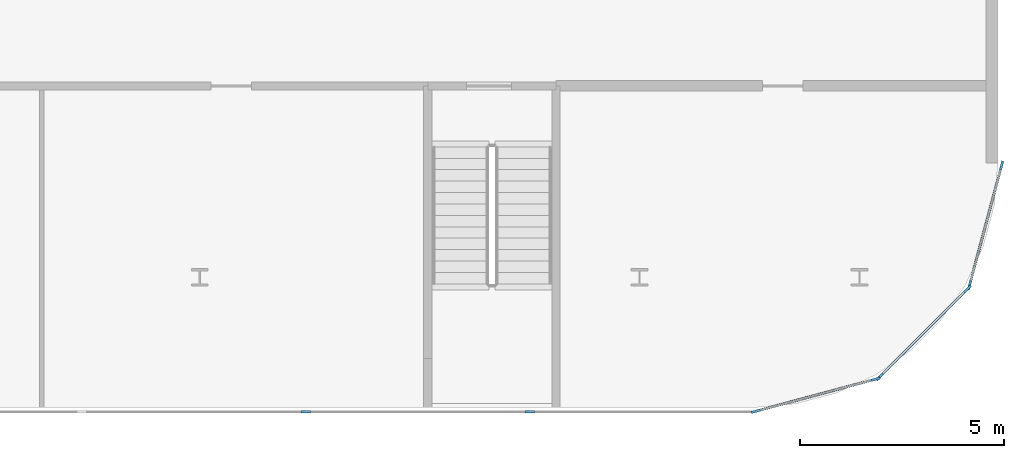
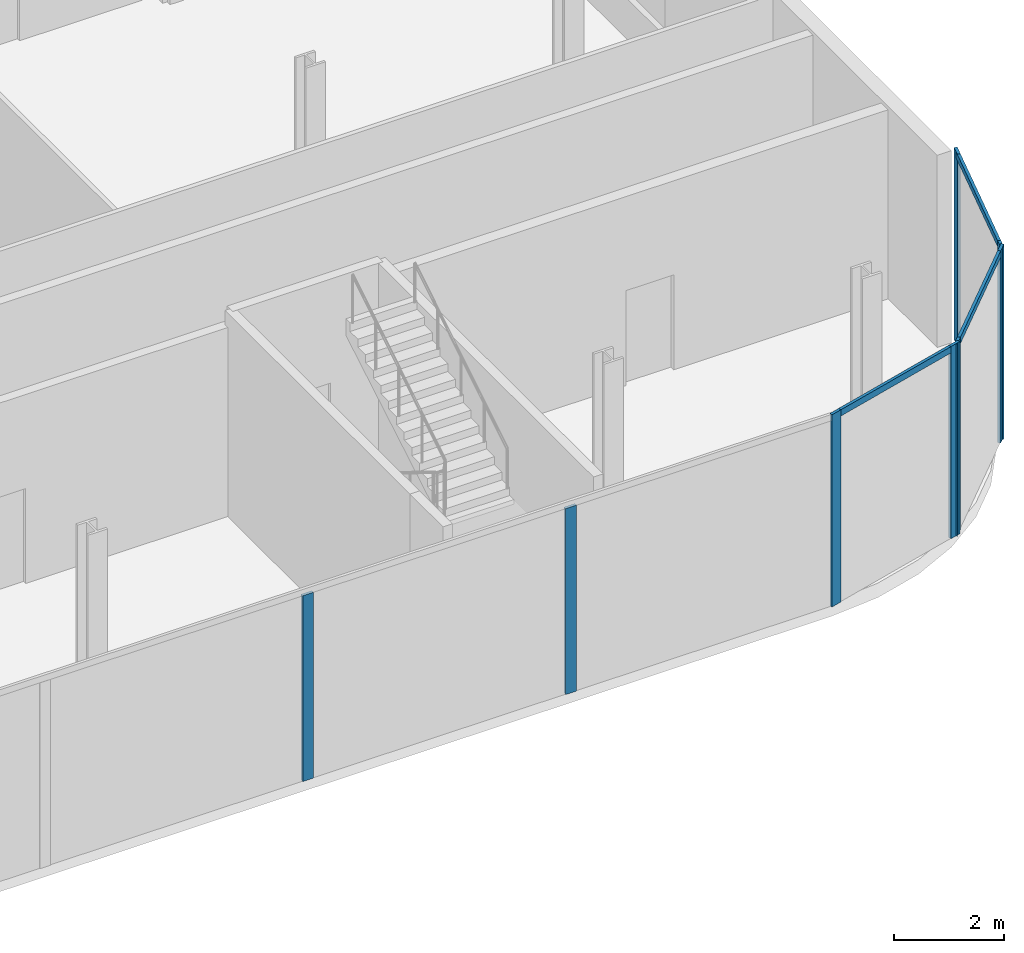
# One storey, part 13 of 47: 11 members, 4 elements without a shape of their own.
"""IFC4 building model written with IfcOpenShell, lengths in metres."""

from ifc_helpers import new_model, si_unit, direction, frame, origin, origin_2d, place, context, subcontext, project, spatial, rectangle, extrude, material, layer, layer_set, material_profile, profile_set, type_object, element, aggregate, save


model = new_model("IFC4")

# Units and contexts
model_context = context("Model", 3, precision=1e-05, world=origin(), true_north=direction((0.0, 1.0)))
body_context = subcontext(model_context, "Body", "Model", "MODEL_VIEW")
ifc_project = project(units=[si_unit("LENGTHUNIT", "METRE"), si_unit("AREAUNIT", "SQUARE_METRE"), si_unit("VOLUMEUNIT", "CUBIC_METRE"), si_unit("PLANEANGLEUNIT", "RADIAN"), si_unit("MASSUNIT", "GRAM", prefix="KILO")], contexts=[model_context])

# Site, building, storey
site_placement = place(None, origin())
site = spatial("IfcSite", under=ifc_project, at=site_placement, CompositionType="ELEMENT")
building_placement = place(site_placement, origin())
building = spatial("IfcBuilding", under=site, at=building_placement, Name="Kheshtan School and Residences Tower", CompositionType="ELEMENT")
storey_placement = place(building_placement, frame((0.0, 0.0, 21.5)))
storey = spatial("IfcBuildingStorey", under=building, at=storey_placement, Name="L04", CompositionType="ELEMENT", Elevation=21.5)

# Curtain wall, members
ifc_material_1 = material(Name="Clear low-e glass in thermally broken aluminium frame", Category="aluminium")
ifc_layer = layer(ifc_material_1, 0.22509765625)
ifc_layer_set = layer_set([ifc_layer], Name="Curtain wall CW-P")
curtain_wall_type = type_object("IfcCurtainWallType", Name="Curtain wall CW-P", PredefinedType="NOTDEFINED", material=ifc_layer_set)
curtain_wall_1_placement = place(storey_placement, origin())
curtain_wall_1 = element("IfcCurtainWall", 1, at=curtain_wall_1_placement, inside=storey, type_object=curtain_wall_type, Name="Curtain wall CWP9a", PredefinedType="NOTDEFINED")
ifc_material_2 = material(Name="Thermally broken aluminium, dark bronze anodised", Category="aluminium")
ifc_material_profile_1 = material_profile(ifc_material_2, rectangle(XDim=0.06005859375, YDim=0.22509765625, at=origin_2d()), Name="CW-P mullion 60x225")
ifc_profile_set_1 = profile_set([ifc_material_profile_1], Name="Thermally broken aluminium, dark bronze anodised")
member_type_1 = type_object("IfcMemberType", Name="CW-P mullion 60x225", PredefinedType="MULLION", material=ifc_profile_set_1)
member_1_placement = place(storey_placement, frame((132.0888671875, 15.945068359375, 0.0), z_axis=(0.0, 0.0, 1.0), x_axis=(0.965913556273, -0.258864833085, 0.0)))
member_1 = element("IfcMember", 2, at=member_1_placement, type_object=member_type_1, Name="CWP9a mullion 1", PredefinedType="MULLION", context=body_context, shape_type="SweptSolid", body=[
    extrude(rectangle(XDim=0.06005859375, YDim=0.22509765625, at=origin_2d()), origin(), (0.0, 0.0, 1.0), 4.25),
])
member_2_placement = place(storey_placement, frame((131.30029296875, 13.003173828125, 0.0), z_axis=(0.0, 0.0, 1.0), x_axis=(0.965913556273, -0.258864833085, 0.0)))
member_2 = element("IfcMember", 3, at=member_2_placement, type_object=member_type_1, Name="CWP9a mullion 2", PredefinedType="MULLION", context=body_context, shape_type="SweptSolid", body=[
    extrude(rectangle(XDim=0.06005859375, YDim=0.22509765625, at=origin_2d()), origin(), (0.0, 0.0, 1.0), 4.25),
])

curtain_wall_2_placement = place(storey_placement, origin())
curtain_wall_2 = element("IfcCurtainWall", 4, at=curtain_wall_2_placement, inside=storey, type_object=curtain_wall_type, Name="Curtain wall CWP10a", PredefinedType="NOTDEFINED")
member_3_placement = place(storey_placement, frame((131.24560546875, 12.907958984375, 0.0), z_axis=(0.0, 0.0, 1.0), x_axis=(0.707106781187, -0.707106781187, 0.0)))
member_3 = element("IfcMember", 5, at=member_3_placement, type_object=member_type_1, Name="CWP10a mullion 1", PredefinedType="MULLION", context=body_context, shape_type="SweptSolid", body=[
    extrude(rectangle(XDim=0.06005859375, YDim=0.22509765625, at=origin_2d()), origin(), (0.0, 0.0, 1.0), 4.25),
])
member_4_placement = place(storey_placement, frame((129.092041015625, 10.75439453125, 0.0), z_axis=(0.0, 0.0, 1.0), x_axis=(0.707106781187, -0.707106781187, 0.0)))
member_4 = element("IfcMember", 6, at=member_4_placement, type_object=member_type_1, Name="CWP10a mullion 2", PredefinedType="MULLION", context=body_context, shape_type="SweptSolid", body=[
    extrude(rectangle(XDim=0.06005859375, YDim=0.22509765625, at=origin_2d()), origin(), (0.0, 0.0, 1.0), 4.25),
])

curtain_wall_3_placement = place(storey_placement, origin())
curtain_wall_3 = element("IfcCurtainWall", 7, at=curtain_wall_3_placement, inside=storey, type_object=curtain_wall_type, Name="Curtain wall CWP11a", PredefinedType="NOTDEFINED")
member_5_placement = place(storey_placement, frame((128.996826171875, 10.69970703125, 0.0), z_axis=(0.0, 0.0, 1.0), x_axis=(0.258864833085, -0.965913556273, 0.0)))
member_5 = element("IfcMember", 8, at=member_5_placement, type_object=member_type_1, Name="CWP11a mullion 1", PredefinedType="MULLION", context=body_context, shape_type="SweptSolid", body=[
    extrude(rectangle(XDim=0.06005859375, YDim=0.22509765625, at=origin_2d()), origin(), (0.0, 0.0, 1.0), 4.25),
])
member_6_placement = place(storey_placement, frame((126.054931640625, 9.9111328125, 0.0), z_axis=(0.0, 0.0, 1.0), x_axis=(0.258864833085, -0.965913556273, 0.0)))
member_6 = element("IfcMember", 9, at=member_6_placement, type_object=member_type_1, Name="CWP11a mullion 2", PredefinedType="MULLION", context=body_context, shape_type="SweptSolid", body=[
    extrude(rectangle(XDim=0.06005859375, YDim=0.22509765625, at=origin_2d()), origin(), (0.0, 0.0, 1.0), 4.25),
])

curtain_wall_4_placement = place(storey_placement, origin())
curtain_wall_4 = element("IfcCurtainWall", 10, at=curtain_wall_4_placement, inside=storey, type_object=curtain_wall_type, Name="Curtain wall CWP12a", PredefinedType="NOTDEFINED")
member_7_placement = place(storey_placement, frame((120.501708984375, 9.89990234375, 0.0), z_axis=(0.0, 0.0, 1.0), x_axis=(0.0, -1.0, 0.0)))
member_7 = element("IfcMember", 11, at=member_7_placement, type_object=member_type_1, Name="CWP12a mullion 2", PredefinedType="MULLION", context=body_context, shape_type="SweptSolid", body=[
    extrude(rectangle(XDim=0.06005859375, YDim=0.22509765625, at=origin_2d()), origin(), (0.0, 0.0, 1.0), 4.110107421875),
])
member_8_placement = place(storey_placement, frame((115.003662109375, 9.89990234375, 0.0), z_axis=(0.0, 0.0, 1.0), x_axis=(0.0, -1.0, 0.0)))
member_8 = element("IfcMember", 12, at=member_8_placement, type_object=member_type_1, Name="CWP12a mullion 3", PredefinedType="MULLION", context=body_context, shape_type="SweptSolid", body=[
    extrude(rectangle(XDim=0.06005859375, YDim=0.22509765625, at=origin_2d()), origin(), (0.0, 0.0, 1.0), 4.110107421875),
])
aggregate(curtain_wall_4, [member_7, member_8])

# Member
ifc_material_profile_2 = material_profile(ifc_material_2, rectangle(XDim=0.06005859375, YDim=0.139892578125, at=origin_2d()), Name="CW-P transom 60x140")
ifc_profile_set_2 = profile_set([ifc_material_profile_2], Name="Thermally broken aluminium, dark bronze anodised")
member_type_2 = type_object("IfcMemberType", Name="CW-P transom 60x140", PredefinedType="USERDEFINED", material=ifc_profile_set_2)
member_9_placement = place(storey_placement, frame((132.0810546875, 15.916259765625, 4.179931640625), z_axis=(-0.258853238275, -0.965916663607, 0.0), x_axis=(0.965916663607, -0.258853238275, 0.0)))
member_9 = element("IfcMember", 13, at=member_9_placement, type_object=member_type_2, Name="CWP9a transom 1", ObjectType="TRANSOM", PredefinedType="USERDEFINED", context=body_context, shape_type="SweptSolid", body=[
    extrude(rectangle(XDim=0.06005859375, YDim=0.139892578125, at=origin_2d()), origin(), (0.0, 0.0, 1.0), 2.986083984375),
])

aggregate(curtain_wall_1, [member_1, member_2, member_9])

member_10_placement = place(storey_placement, frame((131.224365234375, 12.886962890625, 4.179931640625), z_axis=(-0.707106781187, -0.707106781187, 0.0), x_axis=(0.707106781187, -0.707106781187, 0.0)))
member_10 = element("IfcMember", 14, at=member_10_placement, type_object=member_type_2, Name="CWP10a transom 1", ObjectType="TRANSOM", PredefinedType="USERDEFINED", context=body_context, shape_type="SweptSolid", body=[
    extrude(rectangle(XDim=0.06005859375, YDim=0.139892578125, at=origin_2d()), origin(), (0.0, 0.0, 1.0), 2.98583984375),
])

aggregate(curtain_wall_2, [member_3, member_4, member_10])

member_11_placement = place(storey_placement, frame((128.968017578125, 10.69189453125, 4.179931640625), z_axis=(-0.965916663607, -0.258853238275, 0.0), x_axis=(0.258853238275, -0.965916663607, 0.0)))
member_11 = element("IfcMember", 15, at=member_11_placement, type_object=member_type_2, Name="CWP11a transom 1", ObjectType="TRANSOM", PredefinedType="USERDEFINED", context=body_context, shape_type="SweptSolid", body=[
    extrude(rectangle(XDim=0.06005859375, YDim=0.139892578125, at=origin_2d()), origin(), (0.0, 0.0, 1.0), 2.986083984375),
])

aggregate(curtain_wall_3, [member_5, member_6, member_11])

save(model, "model.ifc")
